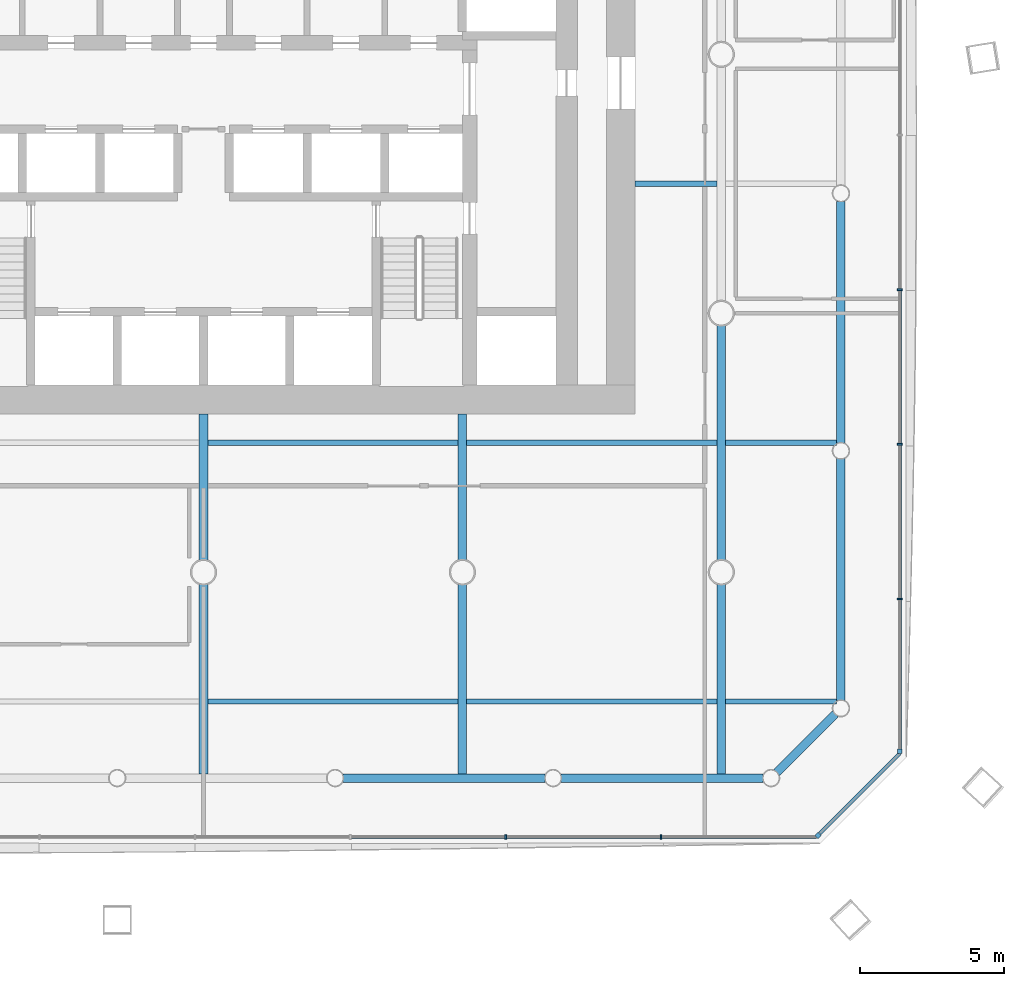
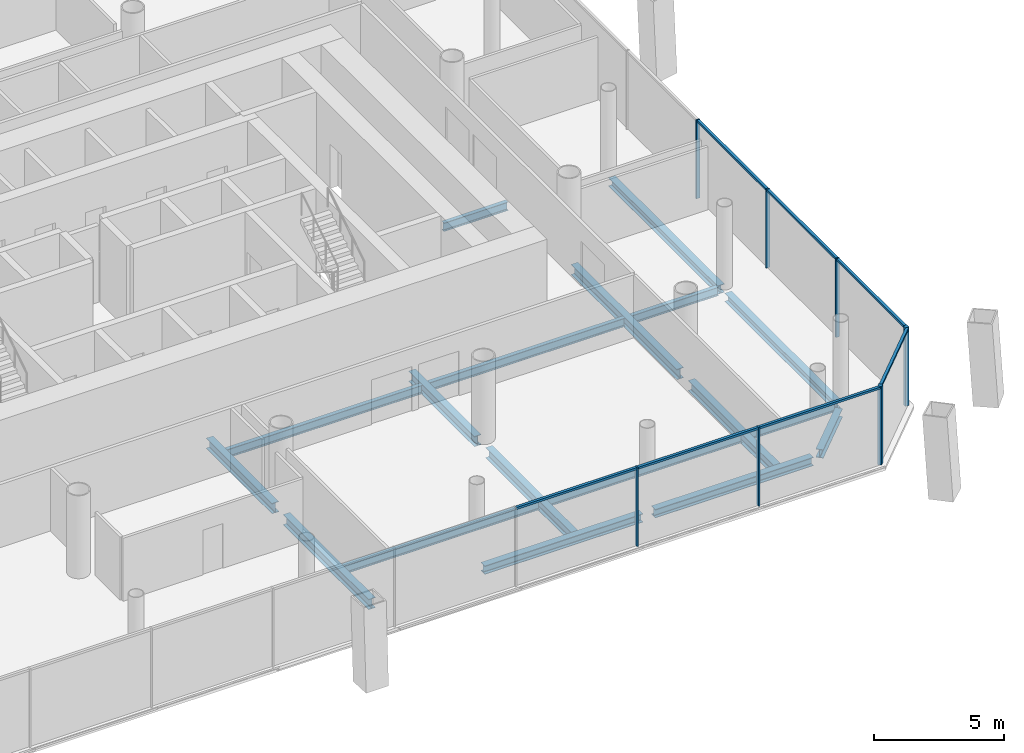
# One storey, part 6 of 22: 18 beams, 14 members, 3 elements without a shape of their own.
"""IFC4 building model written with IfcOpenShell, lengths in metres."""

from ifc_helpers import new_model, si_unit, direction, frame, origin, origin_2d, place, context, subcontext, project, spatial, rectangle, i_section, extrude, material, material_profile, profile_set, type_object, element, aggregate, save


model = new_model("IFC4")

# Units and contexts
model_context = context("Model", 3, precision=1e-05, world=origin(), true_north=direction((0.0, 1.0)))
body_context = subcontext(model_context, "Body", "Model", "MODEL_VIEW")
ifc_project = project(units=[si_unit("LENGTHUNIT", "METRE"), si_unit("AREAUNIT", "SQUARE_METRE"), si_unit("VOLUMEUNIT", "CUBIC_METRE"), si_unit("PLANEANGLEUNIT", "RADIAN"), si_unit("MASSUNIT", "GRAM", prefix="KILO")], contexts=[model_context])

# Site, building, storey
site_placement = place(None, origin())
site = spatial("IfcSite", under=ifc_project, at=site_placement, CompositionType="ELEMENT")
building_placement = place(site_placement, origin())
building = spatial("IfcBuilding", under=site, at=building_placement, Name="Tskaro Facet Tower", CompositionType="ELEMENT")
storey_placement = place(building_placement, frame((0.0, 0.0, 26.39990234375)))
storey = spatial("IfcBuildingStorey", under=building, at=storey_placement, Name="L05", CompositionType="ELEMENT", Elevation=26.39990234375)

# Curtain wall, member
ifc_material_1 = material(Name="Bronze anodised aluminium 6063-T6", Category="aluminium")
curtain_wall_type = type_object("IfcCurtainWallType", Name="Bronze office curtain wall (FW1)", PredefinedType="NOTDEFINED", material=ifc_material_1)
curtain_wall_1_placement = place(storey_placement, origin())
curtain_wall_1 = element("IfcCurtainWall", 1, at=curtain_wall_1_placement, inside=storey, type_object=curtain_wall_type, Name="FW1 south-east facet L05", PredefinedType="NOTDEFINED")
ifc_material_profile_1 = material_profile(ifc_material_1, rectangle(XDim=0.159912109375, YDim=0.159912109375, at=origin_2d()), Name="Corner post 160x160")
ifc_profile_set_1 = profile_set([ifc_material_profile_1], Name="Bronze anodised aluminium 6063-T6")
member_type_1 = type_object("IfcMemberType", Name="FW1 bronze corner post 160x160", PredefinedType="MULLION", material=ifc_profile_set_1)
member_1_placement = place(storey_placement, frame((21.361572265625, -27.1455078125, 0.0), z_axis=(0.0, 0.0, 1.0), x_axis=(0.707106781187, 0.707106781187, 0.0)))
member_1 = element("IfcMember", 2, at=member_1_placement, type_object=member_type_1, Name="FW1 south-east corner post", PredefinedType="MULLION", context=body_context, shape_type="SweptSolid", body=[
    extrude(rectangle(XDim=0.159912109375, YDim=0.159912109375, at=origin_2d()), origin(), (0.0, 0.0, 1.0), 3.7001953125),
])

curtain_wall_2_placement = place(storey_placement, origin())
curtain_wall_2 = element("IfcCurtainWall", 3, at=curtain_wall_2_placement, inside=storey, type_object=curtain_wall_type, Name="FW1 east facet L05", PredefinedType="NOTDEFINED")
member_2_placement = place(storey_placement, frame((24.201904296875, -24.22509765625, 0.0), z_axis=(0.0, 0.0, 1.0), x_axis=(0.0, 1.0, 0.0)))
member_2 = element("IfcMember", 4, at=member_2_placement, type_object=member_type_1, Name="FW1 east corner post", PredefinedType="MULLION", context=body_context, shape_type="SweptSolid", body=[
    extrude(rectangle(XDim=0.159912109375, YDim=0.159912109375, at=origin_2d()), origin(), (0.0, 0.0, 1.0), 3.7001953125),
])

# Curtain wall, members
curtain_wall_3_placement = place(storey_placement, origin())
curtain_wall_3 = element("IfcCurtainWall", 5, at=curtain_wall_3_placement, inside=storey, type_object=curtain_wall_type, Name="FW1 south facet L05", PredefinedType="NOTDEFINED")
ifc_material_profile_2 = material_profile(ifc_material_1, rectangle(XDim=0.06005859375, YDim=0.159912109375, at=origin_2d()), Name="Mullion 60x160")
ifc_profile_set_2 = profile_set([ifc_material_profile_2], Name="Bronze anodised aluminium 6063-T6")
member_type_2 = type_object("IfcMemberType", Name="FW1 bronze mullion 60x160", PredefinedType="MULLION", material=ifc_profile_set_2)
member_3_placement = place(storey_placement, frame((10.502685546875, -27.201904296875, 0.0), z_axis=(0.0, 0.0, 1.0), x_axis=(1.0, 0.0, 0.0)))
member_3 = element("IfcMember", 6, at=member_3_placement, type_object=member_type_2, Name="FW1 south mullion 7", PredefinedType="MULLION", context=body_context, shape_type="SweptSolid", body=[
    extrude(rectangle(XDim=0.06005859375, YDim=0.159912109375, at=origin_2d()), origin(), (0.0, 0.0, 1.0), 3.7001953125),
])
member_4_placement = place(storey_placement, frame((15.90380859375, -27.201904296875, 0.0), z_axis=(0.0, 0.0, 1.0), x_axis=(1.0, 0.0, 0.0)))
member_4 = element("IfcMember", 7, at=member_4_placement, type_object=member_type_2, Name="FW1 south mullion 8", PredefinedType="MULLION", context=body_context, shape_type="SweptSolid", body=[
    extrude(rectangle(XDim=0.06005859375, YDim=0.159912109375, at=origin_2d()), origin(), (0.0, 0.0, 1.0), 3.7001953125),
])

# Member
member_5_placement = place(storey_placement, frame((24.201904296875, -18.930419921875, 0.0), z_axis=(0.0, 0.0, 1.0), x_axis=(0.0, 1.0, 0.0)))
member_5 = element("IfcMember", 8, at=member_5_placement, type_object=member_type_2, Name="FW1 east mullion 1", PredefinedType="MULLION", context=body_context, shape_type="SweptSolid", body=[
    extrude(rectangle(XDim=0.06005859375, YDim=0.159912109375, at=origin_2d()), origin(), (0.0, 0.0, 1.0), 3.7001953125),
])

member_6_placement = place(storey_placement, frame((24.201904296875, -13.555908203125, 0.0), z_axis=(0.0, 0.0, 1.0), x_axis=(0.0, 1.0, 0.0)))
member_6 = element("IfcMember", 9, at=member_6_placement, type_object=member_type_2, Name="FW1 east mullion 2", PredefinedType="MULLION", context=body_context, shape_type="SweptSolid", body=[
    extrude(rectangle(XDim=0.06005859375, YDim=0.159912109375, at=origin_2d()), origin(), (0.0, 0.0, 1.0), 3.7001953125),
])

member_7_placement = place(storey_placement, frame((24.201904296875, -8.181396484375, 0.0), z_axis=(0.0, 0.0, 1.0), x_axis=(0.0, 1.0, 0.0)))
member_7 = element("IfcMember", 10, at=member_7_placement, type_object=member_type_2, Name="FW1 east mullion 3", PredefinedType="MULLION", context=body_context, shape_type="SweptSolid", body=[
    extrude(rectangle(XDim=0.06005859375, YDim=0.159912109375, at=origin_2d()), origin(), (0.0, 0.0, 1.0), 3.7001953125),
])

ifc_material_profile_3 = material_profile(ifc_material_1, rectangle(XDim=0.1201171875, YDim=0.10009765625, at=origin_2d()), Name="Transom 120x100")
ifc_profile_set_3 = profile_set([ifc_material_profile_3], Name="Bronze anodised aluminium 6063-T6")
member_type_3 = type_object("IfcMemberType", Name="FW1 bronze transom 120x100", PredefinedType="USERDEFINED", material=ifc_profile_set_3)
member_8_placement = place(storey_placement, frame((5.131591796875, -27.201904296875, 3.650146484375), z_axis=(1.0, 0.0, 0.0), x_axis=(0.0, 1.0, 0.0)))
member_8 = element("IfcMember", 11, at=member_8_placement, type_object=member_type_3, Name="FW1 south transom 7.1", ObjectType="TRANSOM", PredefinedType="USERDEFINED", context=body_context, shape_type="SweptSolid", body=[
    extrude(rectangle(XDim=0.1201171875, YDim=0.10009765625, at=origin_2d()), origin(), (0.0, 0.0, 1.0), 5.341064453125),
])

member_9_placement = place(storey_placement, frame((10.53271484375, -27.201904296875, 3.650146484375), z_axis=(1.0, 0.0, 0.0), x_axis=(0.0, 1.0, 0.0)))
member_9 = element("IfcMember", 12, at=member_9_placement, type_object=member_type_3, Name="FW1 south transom 8.1", ObjectType="TRANSOM", PredefinedType="USERDEFINED", context=body_context, shape_type="SweptSolid", body=[
    extrude(rectangle(XDim=0.1201171875, YDim=0.10009765625, at=origin_2d()), origin(), (0.0, 0.0, 1.0), 5.341064453125),
])

member_10_placement = place(storey_placement, frame((15.933837890625, -27.201904296875, 3.650146484375), z_axis=(1.0, 0.0, 0.0), x_axis=(0.0, 1.0, 0.0)))
member_10 = element("IfcMember", 13, at=member_10_placement, type_object=member_type_3, Name="FW1 south transom 9.1", ObjectType="TRANSOM", PredefinedType="USERDEFINED", context=body_context, shape_type="SweptSolid", body=[
    extrude(rectangle(XDim=0.1201171875, YDim=0.10009765625, at=origin_2d()), origin(), (0.0, 0.0, 1.0), 5.37109375),
])

aggregate(curtain_wall_3, [member_3, member_4, member_8, member_9, member_10])

member_11_placement = place(storey_placement, frame((21.418212890625, -27.0888671875, 3.650146484375), z_axis=(0.707075773851, 0.707137787162, 0.0), x_axis=(-0.707137787162, 0.707075773851, 0.0)))
member_11 = element("IfcMember", 14, at=member_11_placement, type_object=member_type_3, Name="FW1 south-east transom 1.1", ObjectType="TRANSOM", PredefinedType="USERDEFINED", context=body_context, shape_type="SweptSolid", body=[
    extrude(rectangle(XDim=0.1201171875, YDim=0.10009765625, at=origin_2d()), origin(), (0.0, 0.0, 1.0), 3.93701171875),
])

aggregate(curtain_wall_1, [member_1, member_11])

member_12_placement = place(storey_placement, frame((24.201904296875, -24.14501953125, 3.650146484375), z_axis=(0.0, 1.0, 0.0), x_axis=(-1.0, 0.0, 0.0)))
member_12 = element("IfcMember", 15, at=member_12_placement, type_object=member_type_3, Name="FW1 east transom 1.1", ObjectType="TRANSOM", PredefinedType="USERDEFINED", context=body_context, shape_type="SweptSolid", body=[
    extrude(rectangle(XDim=0.1201171875, YDim=0.10009765625, at=origin_2d()), origin(), (0.0, 0.0, 1.0), 5.1845703125),
])

member_13_placement = place(storey_placement, frame((24.201904296875, -18.900390625, 3.650146484375), z_axis=(0.0, 1.0, 0.0), x_axis=(-1.0, 0.0, 0.0)))
member_13 = element("IfcMember", 16, at=member_13_placement, type_object=member_type_3, Name="FW1 east transom 2.1", ObjectType="TRANSOM", PredefinedType="USERDEFINED", context=body_context, shape_type="SweptSolid", body=[
    extrude(rectangle(XDim=0.1201171875, YDim=0.10009765625, at=origin_2d()), origin(), (0.0, 0.0, 1.0), 5.314453125),
])

member_14_placement = place(storey_placement, frame((24.201904296875, -13.52587890625, 3.650146484375), z_axis=(0.0, 1.0, 0.0), x_axis=(-1.0, 0.0, 0.0)))
member_14 = element("IfcMember", 17, at=member_14_placement, type_object=member_type_3, Name="FW1 east transom 3.1", ObjectType="TRANSOM", PredefinedType="USERDEFINED", context=body_context, shape_type="SweptSolid", body=[
    extrude(rectangle(XDim=0.1201171875, YDim=0.10009765625, at=origin_2d()), origin(), (0.0, 0.0, 1.0), 5.314453125),
])

aggregate(curtain_wall_2, [member_2, member_5, member_6, member_7, member_12, member_13, member_14])

# Beams
ifc_material_2 = material(Name="Steel S355J2", Category="steel")
ifc_material_profile_4 = material_profile(ifc_material_2, i_section(OverallWidth=0.300048828125, OverallDepth=0.39990234375, WebThickness=0.013427734375, FlangeThickness=0.02392578125, FilletRadius=0.027099609375, at=origin_2d()), Name="HE 400 B")
ifc_profile_set_4 = profile_set([ifc_material_profile_4], Name="Steel S355J2")
beam_type_1 = type_object("IfcBeamType", Name="HE 400 B ring beam", PredefinedType="BEAM", material=ifc_profile_set_4)
beam_1_placement = place(storey_placement, frame((4.85107421875, -25.156982421875, -0.33984375), z_axis=(1.0, 0.0, 0.0), x_axis=(0.0, 1.0, 0.0)))
element("IfcBeam", 18, at=beam_1_placement, inside=storey, type_object=beam_type_1, Name="HE 400 B EB5-1", PredefinedType="BEAM", context=body_context, shape_type="SweptSolid", body=[
    extrude(i_section(OverallWidth=0.300048828125, OverallDepth=0.39990234375, WebThickness=0.013427734375, FlangeThickness=0.02392578125, FilletRadius=0.027099609375, at=origin_2d()), origin(), (0.0, 0.0, 1.0), 7.02685546875),
])
beam_2_placement = place(storey_placement, frame((12.427978515625, -25.156982421875, -0.33984375), z_axis=(1.0, 0.0, 0.0), x_axis=(0.0, 1.0, 0.0)))
element("IfcBeam", 19, at=beam_2_placement, inside=storey, type_object=beam_type_1, Name="HE 400 B EB6-1", PredefinedType="BEAM", context=body_context, shape_type="SweptSolid", body=[
    extrude(i_section(OverallWidth=0.300048828125, OverallDepth=0.39990234375, WebThickness=0.013427734375, FlangeThickness=0.02392578125, FilletRadius=0.027099609375, at=origin_2d()), origin(), (0.0, 0.0, 1.0), 7.026123046875),
])
beam_3_placement = place(storey_placement, frame((19.92333984375, -24.962646484375, -0.33984375), z_axis=(0.707106781187, 0.707106781187, 0.0), x_axis=(-0.707106781187, 0.707106781187, 0.0)))
element("IfcBeam", 20, at=beam_3_placement, inside=storey, type_object=beam_type_1, Name="HE 400 B EB7-1", PredefinedType="BEAM", context=body_context, shape_type="SweptSolid", body=[
    extrude(i_section(OverallWidth=0.300048828125, OverallDepth=0.39990234375, WebThickness=0.013427734375, FlangeThickness=0.02392578125, FilletRadius=0.027099609375, at=origin_2d()), origin(), (0.0, 0.0, 1.0), 2.884033203125),
])
for number, where, z_axis, x_axis, name in (
    (21, (22.156982421875, -22.4541015625, -0.33984375), (0.0, 1.0, 0.0), (-1.0, 0.0, 0.0), "HE 400 B EB8-1"),
    (22, (22.156982421875, -13.506103515625, -0.33984375), (0.0, 1.0, 0.0), (-1.0, 0.0, 0.0), "HE 400 B EB9-1"),
):
    element("IfcBeam", number, at=place(storey_placement, frame(where, z_axis=z_axis, x_axis=x_axis)), inside=storey, type_object=beam_type_1, Name=name, PredefinedType="BEAM", context=body_context, shape_type="SweptSolid", body=[
        extrude(i_section(OverallWidth=0.300048828125, OverallDepth=0.39990234375, WebThickness=0.013427734375, FlangeThickness=0.02392578125, FilletRadius=0.027099609375, at=origin_2d()), origin(), (0.0, 0.0, 1.0), 8.398193359375),
    ])
ifc_material_profile_5 = material_profile(ifc_material_2, i_section(OverallWidth=0.300048828125, OverallDepth=0.489990234375, WebThickness=0.011962890625, FlangeThickness=0.02294921875, FilletRadius=0.027099609375, at=origin_2d()), Name="HE 500 A")
ifc_profile_set_5 = profile_set([ifc_material_profile_5], Name="Steel S355J2")
beam_type_2 = type_object("IfcBeamType", Name="HE 500 A girder", PredefinedType="BEAM", material=ifc_profile_set_5)
beam_4_placement = place(storey_placement, frame((0.0, -25.007080078125, -0.385009765625), z_axis=(0.0, 1.0, 0.0), x_axis=(-1.0, 0.0, 0.0)))
element("IfcBeam", 23, at=beam_4_placement, inside=storey, type_object=beam_type_2, Name="HE 500 A GB4-1-1", PredefinedType="BEAM", context=body_context, shape_type="SweptSolid", body=[
    extrude(i_section(OverallWidth=0.300048828125, OverallDepth=0.489990234375, WebThickness=0.011962890625, FlangeThickness=0.02294921875, FilletRadius=0.027099609375, at=origin_2d()), origin(), (0.0, 0.0, 1.0), 6.579833984375),
])
beam_5_placement = place(storey_placement, frame((0.0, -17.57275390625, -0.385009765625), z_axis=(0.0, 1.0, 0.0), x_axis=(-1.0, 0.0, 0.0)))
element("IfcBeam", 24, at=beam_5_placement, inside=storey, type_object=beam_type_2, Name="HE 500 A GB4-2-1", PredefinedType="BEAM", context=body_context, shape_type="SweptSolid", body=[
    extrude(i_section(OverallWidth=0.300048828125, OverallDepth=0.489990234375, WebThickness=0.011962890625, FlangeThickness=0.02294921875, FilletRadius=0.027099609375, at=origin_2d()), origin(), (0.0, 0.0, 1.0), 5.07275390625),
])
beam_6_placement = place(storey_placement, frame((9.0, -25.007080078125, -0.385009765625), z_axis=(0.0, 1.0, 0.0), x_axis=(-1.0, 0.0, 0.0)))
element("IfcBeam", 25, at=beam_6_placement, inside=storey, type_object=beam_type_2, Name="HE 500 A GB5-1-1", PredefinedType="BEAM", context=body_context, shape_type="SweptSolid", body=[
    extrude(i_section(OverallWidth=0.300048828125, OverallDepth=0.489990234375, WebThickness=0.011962890625, FlangeThickness=0.02294921875, FilletRadius=0.027099609375, at=origin_2d()), origin(), (0.0, 0.0, 1.0), 6.579833984375),
])
beam_7_placement = place(storey_placement, frame((9.0, -17.57275390625, -0.385009765625), z_axis=(0.0, 1.0, 0.0), x_axis=(-1.0, 0.0, 0.0)))
element("IfcBeam", 26, at=beam_7_placement, inside=storey, type_object=beam_type_2, Name="HE 500 A GB5-2-1", PredefinedType="BEAM", context=body_context, shape_type="SweptSolid", body=[
    extrude(i_section(OverallWidth=0.300048828125, OverallDepth=0.489990234375, WebThickness=0.011962890625, FlangeThickness=0.02294921875, FilletRadius=0.027099609375, at=origin_2d()), origin(), (0.0, 0.0, 1.0), 5.07275390625),
])
beam_8_placement = place(storey_placement, frame((18.0, -25.007080078125, -0.385009765625), z_axis=(0.0, 1.0, 0.0), x_axis=(-1.0, 0.0, 0.0)))
element("IfcBeam", 27, at=beam_8_placement, inside=storey, type_object=beam_type_2, Name="HE 500 A GB6-1-1", PredefinedType="BEAM", context=body_context, shape_type="SweptSolid", body=[
    extrude(i_section(OverallWidth=0.300048828125, OverallDepth=0.489990234375, WebThickness=0.011962890625, FlangeThickness=0.02294921875, FilletRadius=0.027099609375, at=origin_2d()), origin(), (0.0, 0.0, 1.0), 6.579833984375),
])
beam_9_placement = place(storey_placement, frame((18.0, -17.57275390625, -0.385009765625), z_axis=(0.0, 1.0, 0.0), x_axis=(-1.0, 0.0, 0.0)))
element("IfcBeam", 28, at=beam_9_placement, inside=storey, type_object=beam_type_2, Name="HE 500 A GB6-2-1", PredefinedType="BEAM", context=body_context, shape_type="SweptSolid", body=[
    extrude(i_section(OverallWidth=0.300048828125, OverallDepth=0.489990234375, WebThickness=0.011962890625, FlangeThickness=0.02294921875, FilletRadius=0.027099609375, at=origin_2d()), origin(), (0.0, 0.0, 1.0), 8.1455078125),
])
ifc_material_profile_6 = material_profile(ifc_material_2, i_section(OverallWidth=0.179931640625, OverallDepth=0.39990234375, WebThickness=0.008544921875, FlangeThickness=0.013427734375, FilletRadius=0.02099609375, at=origin_2d()), Name="IPE 400")
ifc_profile_set_6 = profile_set([ifc_material_profile_6], Name="Steel S355J2")
beam_type_3 = type_object("IfcBeamType", Name="IPE 400 secondary beam", PredefinedType="BEAM", material=ifc_profile_set_6)
for number, where, z_axis, x_axis, name in (
    (29, (0.14990234375, -22.5, -0.33984375), (1.0, 0.0, 0.0), (0.0, 1.0, 0.0), "IPE 400 SB1a-4-1"),
    (30, (9.14990234375, -22.5, -0.33984375), (1.0, 0.0, 0.0), (0.0, 1.0, 0.0), "IPE 400 SB1a-5-1"),
):
    element("IfcBeam", number, at=place(storey_placement, frame(where, z_axis=z_axis, x_axis=x_axis)), inside=storey, type_object=beam_type_3, Name=name, PredefinedType="BEAM", context=body_context, shape_type="SweptSolid", body=[
        extrude(i_section(OverallWidth=0.179931640625, OverallDepth=0.39990234375, WebThickness=0.008544921875, FlangeThickness=0.013427734375, FilletRadius=0.02099609375, at=origin_2d()), origin(), (0.0, 0.0, 1.0), 8.7001953125),
    ])
beam_10_placement = place(storey_placement, frame((18.14990234375, -22.5, -0.33984375), z_axis=(1.0, 0.0, 0.0), x_axis=(0.0, 1.0, 0.0)))
element("IfcBeam", 31, at=beam_10_placement, inside=storey, type_object=beam_type_3, Name="IPE 400 SB1a-6-1", PredefinedType="BEAM", context=body_context, shape_type="SweptSolid", body=[
    extrude(i_section(OverallWidth=0.179931640625, OverallDepth=0.39990234375, WebThickness=0.008544921875, FlangeThickness=0.013427734375, FilletRadius=0.02099609375, at=origin_2d()), origin(), (0.0, 0.0, 1.0), 3.857177734375),
])
for number, where, z_axis, x_axis, name in (
    (32, (0.14990234375, -13.5, -0.33984375), (1.0, 0.0, 0.0), (0.0, 1.0, 0.0), "IPE 400 SB2a-4-1"),
    (33, (9.14990234375, -13.5, -0.33984375), (1.0, 0.0, 0.0), (0.0, 1.0, 0.0), "IPE 400 SB2a-5-1"),
):
    element("IfcBeam", number, at=place(storey_placement, frame(where, z_axis=z_axis, x_axis=x_axis)), inside=storey, type_object=beam_type_3, Name=name, PredefinedType="BEAM", context=body_context, shape_type="SweptSolid", body=[
        extrude(i_section(OverallWidth=0.179931640625, OverallDepth=0.39990234375, WebThickness=0.008544921875, FlangeThickness=0.013427734375, FilletRadius=0.02099609375, at=origin_2d()), origin(), (0.0, 0.0, 1.0), 8.7001953125),
    ])
beam_11_placement = place(storey_placement, frame((18.14990234375, -13.5, -0.33984375), z_axis=(1.0, 0.0, 0.0), x_axis=(0.0, 1.0, 0.0)))
element("IfcBeam", 34, at=beam_11_placement, inside=storey, type_object=beam_type_3, Name="IPE 400 SB2a-6-1", PredefinedType="BEAM", context=body_context, shape_type="SweptSolid", body=[
    extrude(i_section(OverallWidth=0.179931640625, OverallDepth=0.39990234375, WebThickness=0.008544921875, FlangeThickness=0.013427734375, FilletRadius=0.02099609375, at=origin_2d()), origin(), (0.0, 0.0, 1.0), 3.857177734375),
])
beam_12_placement = place(storey_placement, frame((15.0, -4.5, -0.33984375), z_axis=(1.0, 0.0, 0.0), x_axis=(0.0, 1.0, 0.0)))
element("IfcBeam", 35, at=beam_12_placement, inside=storey, type_object=beam_type_3, Name="IPE 400 SB3a-3-1", PredefinedType="BEAM", context=body_context, shape_type="SweptSolid", body=[
    extrude(i_section(OverallWidth=0.179931640625, OverallDepth=0.39990234375, WebThickness=0.008544921875, FlangeThickness=0.013427734375, FilletRadius=0.02099609375, at=origin_2d()), origin(), (0.0, 0.0, 1.0), 2.85009765625),
])

save(model, "model.ifc")
